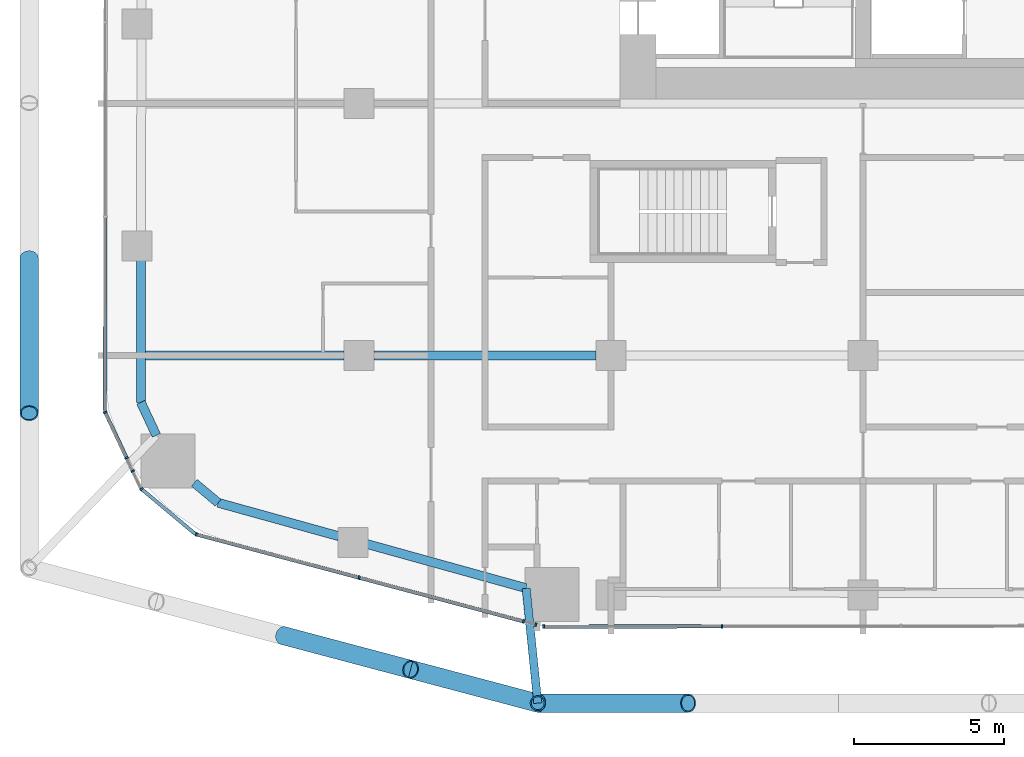
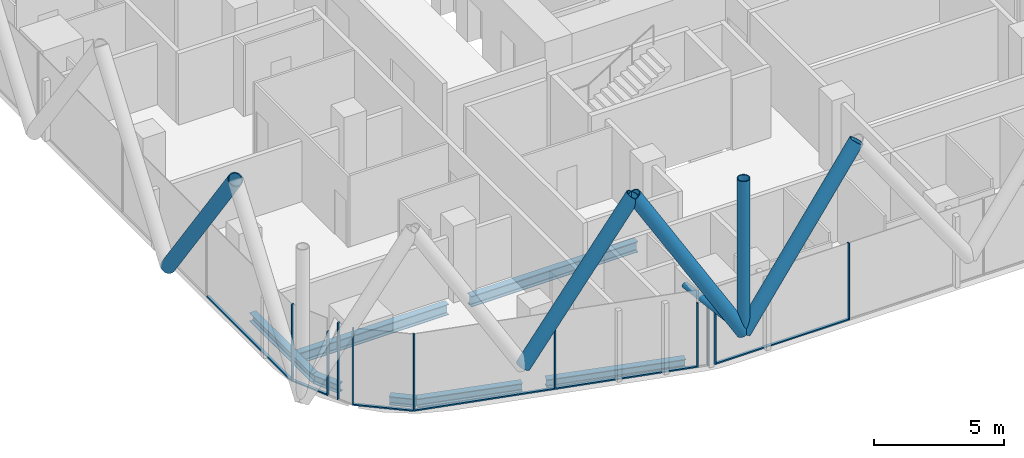
# One storey, part 2 of 34: 22 members, 7 beams, 8 elements without a shape of their own.
"""IFC4 building model written with IfcOpenShell, lengths in metres."""

from ifc_helpers import new_model, si_unit, direction, frame, origin, origin_2d, place, context, subcontext, project, spatial, rectangle, hollow_circle, i_section, extrude, material, layer, layer_set, material_profile, profile_set, type_object, element, aggregate, save


model = new_model("IFC4")

# Units and contexts
model_context = context("Model", 3, precision=1e-05, world=origin(), true_north=direction((0.0, 1.0)))
body_context = subcontext(model_context, "Body", "Model", "MODEL_VIEW")
ifc_project = project(units=[si_unit("LENGTHUNIT", "METRE"), si_unit("AREAUNIT", "SQUARE_METRE"), si_unit("VOLUMEUNIT", "CUBIC_METRE"), si_unit("PLANEANGLEUNIT", "RADIAN"), si_unit("MASSUNIT", "GRAM", prefix="KILO")], contexts=[model_context])

# Site, building, storey
site_placement = place(None, origin())
site = spatial("IfcSite", under=ifc_project, at=site_placement, CompositionType="ELEMENT")
building_placement = place(site_placement, origin())
building = spatial("IfcBuilding", under=site, at=building_placement, Name="Marenta Gate Hotel Tower", CompositionType="ELEMENT")
storey_placement = place(building_placement, frame((0.0, 0.0, 47.300048828125)))
storey = spatial("IfcBuildingStorey", under=building, at=storey_placement, Name="L09", CompositionType="ELEMENT", Elevation=47.300048828125)

# Members
ifc_material_1 = material(Name="Steel S355J2W", Category="steel")
ifc_material_profile_1 = material_profile(ifc_material_1, hollow_circle(Radius=0.25390625, WallThickness=0.0400390625, at=origin_2d()), Name="CHS 508x40")
ifc_profile_set_1 = profile_set([ifc_material_profile_1], Name="Steel S355J2W")
member_type_1 = type_object("IfcMemberType", Name="Diagrid corner post Z1 CHS 508x40", PredefinedType="POST", material=ifc_profile_set_1)
member_1_placement = place(storey_placement, frame((-15.0390625, -20.0, 3.139892578125), z_axis=(0.0, 0.0, 1.0), x_axis=(1.0, 0.0, 0.0)))
element("IfcMember", 1, at=member_1_placement, inside=storey, type_object=member_type_1, Name="L09-DR-4", PredefinedType="POST", context=body_context, shape_type="SweptSolid", body=[
    extrude(hollow_circle(Radius=0.25390625, WallThickness=0.0400390625, at=origin_2d()), origin(), (0.0, 0.0, 1.0), 7.199951171875),
])
ifc_material_2 = material(Name="Steel S355J2W", Category="steel")
ifc_material_profile_2 = material_profile(ifc_material_2, hollow_circle(Radius=0.304931640625, WallThickness=0.0400390625, at=origin_2d()), Name="CHS 610x40")
ifc_profile_set_2 = profile_set([ifc_material_profile_2], Name="Steel S355J2W")
member_type_2 = type_object("IfcMemberType", Name="Diagrid diagonal Z1 CHS 610x40", PredefinedType="BRACE", material=ifc_profile_set_2)
member_2_placement = place(storey_placement, frame((-15.0390625, -20.0, 3.139892578125), z_axis=(0.571411767966, 0.0, 0.820663506822), x_axis=(0.0, 1.0, 0.0)))
element("IfcMember", 2, at=member_2_placement, inside=storey, type_object=member_type_2, Name="L09-DG-20", PredefinedType="BRACE", context=body_context, shape_type="SweptSolid", body=[
    extrude(hollow_circle(Radius=0.304931640625, WallThickness=0.0400390625, at=origin_2d()), origin(), (0.0, 0.0, 1.0), 8.7734375),
])
for number, where, z_axis, x_axis, name in (
    (3, (-15.0390625, -20.0, 3.139892578125), (-0.502924018666, 0.133433548941, 0.853968921838), (-0.256443187528, -0.96655930577, 0.0), "L09-DG-21"),
    (4, (-23.51953125, -17.75, 3.139892578125), (0.502924018666, -0.133433548941, 0.853968921838), (0.256443187528, 0.96655930577, 0.0), "L09-DG-22"),
):
    element("IfcMember", number, at=place(storey_placement, frame(where, z_axis=z_axis, x_axis=x_axis)), inside=storey, type_object=member_type_2, Name=name, PredefinedType="BRACE", context=body_context, shape_type="SweptSolid", body=[
        extrude(hollow_circle(Radius=0.304931640625, WallThickness=0.0400390625, at=origin_2d()), origin(), (0.0, 0.0, 1.0), 8.43115234375),
    ])
member_3_placement = place(storey_placement, frame((-32.0, -5.16015625, 3.139892578125), z_axis=(0.0, -0.583260841117, 0.812284919975), x_axis=(1.0, 0.0, 0.0)))
element("IfcMember", 5, at=member_3_placement, inside=storey, type_object=member_type_2, Name="L09-DG-26", PredefinedType="BRACE", context=body_context, shape_type="SweptSolid", body=[
    extrude(hollow_circle(Radius=0.304931640625, WallThickness=0.0400390625, at=origin_2d()), origin(), (0.0, 0.0, 1.0), 8.86376953125),
])

# Beams
ifc_material_3 = material(Name="Steel S355", Category="steel")
ifc_material_profile_3 = material_profile(ifc_material_3, i_section(OverallWidth=0.300048828125, OverallDepth=0.39990234375, WebThickness=0.013427734375, FlangeThickness=0.02392578125, FilletRadius=0.027099609375, at=origin_2d()), Name="HEB 400")
ifc_profile_set_3 = profile_set([ifc_material_profile_3], Name="Steel S355")
beam_type_1 = type_object("IfcBeamType", Name="Edge beam HEB 400", PredefinedType="SPANDREL", material=ifc_profile_set_3)
beam_1_placement = place(storey_placement, frame((-15.427734375, -16.166748046875, -0.4599609375), z_axis=(-0.963623684238, 0.267262782998, 0.0), x_axis=(-0.267262782998, -0.963623684238, 0.0)))
element("IfcBeam", 6, at=beam_1_placement, inside=storey, type_object=beam_type_1, Name="L09-EB-1", PredefinedType="SPANDREL", context=body_context, shape_type="SweptSolid", body=[
    extrude(i_section(OverallWidth=0.300048828125, OverallDepth=0.39990234375, WebThickness=0.013427734375, FlangeThickness=0.02392578125, FilletRadius=0.027099609375, at=origin_2d()), origin(), (0.0, 0.0, 1.0), 5.518310546875),
])
beam_2_placement = place(storey_placement, frame((-21.668212890625, -14.43603515625, -0.4599609375), z_axis=(-0.963617403201, 0.267285428426, 0.0), x_axis=(-0.267285428426, -0.963617403201, 0.0)))
element("IfcBeam", 7, at=beam_2_placement, inside=storey, type_object=beam_type_1, Name="L09-EB-2", PredefinedType="SPANDREL", context=body_context, shape_type="SweptSolid", body=[
    extrude(i_section(OverallWidth=0.300048828125, OverallDepth=0.39990234375, WebThickness=0.013427734375, FlangeThickness=0.02392578125, FilletRadius=0.027099609375, at=origin_2d()), origin(), (0.0, 0.0, 1.0), 4.1806640625),
])
beam_3_placement = place(storey_placement, frame((-25.69677734375, -13.318603515625, -0.4599609375), z_axis=(-0.767179911534, 0.641431978731, 0.0), x_axis=(-0.641431978731, -0.767179911534, 0.0)))
element("IfcBeam", 8, at=beam_3_placement, inside=storey, type_object=beam_type_1, Name="L09-EB-3", PredefinedType="SPANDREL", context=body_context, shape_type="SweptSolid", body=[
    extrude(i_section(OverallWidth=0.300048828125, OverallDepth=0.39990234375, WebThickness=0.013427734375, FlangeThickness=0.02392578125, FilletRadius=0.027099609375, at=origin_2d()), origin(), (0.0, 0.0, 1.0), 1.038818359375),
])
beam_4_placement = place(storey_placement, frame((-27.76025390625, -11.0693359375, -0.4599609375), z_axis=(-0.423291965192, 0.905993329006, 0.0), x_axis=(-0.905993329006, -0.423291965192, 0.0)))
element("IfcBeam", 9, at=beam_4_placement, inside=storey, type_object=beam_type_1, Name="L09-EB-4", PredefinedType="SPANDREL", context=body_context, shape_type="SweptSolid", body=[
    extrude(i_section(OverallWidth=0.300048828125, OverallDepth=0.39990234375, WebThickness=0.013427734375, FlangeThickness=0.02392578125, FilletRadius=0.027099609375, at=origin_2d()), origin(), (0.0, 0.0, 1.0), 1.21630859375),
])
beam_5_placement = place(storey_placement, frame((-28.275146484375, -9.96728515625, -0.4599609375), z_axis=(0.001386177947, 0.999999039255, 0.0), x_axis=(-0.999999039255, 0.001386177947, 0.0)))
element("IfcBeam", 10, at=beam_5_placement, inside=storey, type_object=beam_type_1, Name="L09-EB-5", PredefinedType="SPANDREL", context=body_context, shape_type="SweptSolid", body=[
    extrude(i_section(OverallWidth=0.300048828125, OverallDepth=0.39990234375, WebThickness=0.013427734375, FlangeThickness=0.02392578125, FilletRadius=0.027099609375, at=origin_2d()), origin(), (0.0, 0.0, 1.0), 4.75537109375),
])

# Member
ifc_material_4 = material(Name="Steel S355J2W", Category="steel")
ifc_material_profile_4 = material_profile(ifc_material_4, hollow_circle(Radius=0.136474609375, WallThickness=0.012451171875, at=origin_2d()), Name="CHS 273x12.5")
ifc_profile_set_4 = profile_set([ifc_material_profile_4], Name="Steel S355J2W")
member_type_3 = type_object("IfcMemberType", Name="Floor tie CHS 273x12.5", PredefinedType="STRUT", material=ifc_profile_set_4)
member_4_placement = place(storey_placement, frame((-15.0390625, -20.0, 3.139892578125), z_axis=(-0.100880214529, 0.99489857891, 0.0), x_axis=(-0.99489857891, -0.100880214529, 0.0)))
element("IfcMember", 11, at=member_4_placement, inside=storey, type_object=member_type_3, Name="L09-DR-10", PredefinedType="STRUT", context=body_context, shape_type="SweptSolid", body=[
    extrude(hollow_circle(Radius=0.136474609375, WallThickness=0.012451171875, at=origin_2d()), origin(), (0.0, 0.0, 1.0), 3.845458984375),
])

# Beams
ifc_material_5 = material(Name="Steel S355", Category="steel")
ifc_material_profile_5 = material_profile(ifc_material_5, i_section(OverallWidth=0.300048828125, OverallDepth=0.5, WebThickness=0.014404296875, FlangeThickness=0.028076171875, FilletRadius=0.027099609375, at=origin_2d()), Name="HEB 500")
ifc_profile_set_5 = profile_set([ifc_material_profile_5], Name="Steel S355")
beam_type_2 = type_object("IfcBeamType", Name="Girder HEB 500", PredefinedType="BEAM", material=ifc_profile_set_5)
beam_6_placement = place(storey_placement, frame((-28.123046875, -8.39990234375, -0.510009765625), z_axis=(1.0, 0.0, 0.0), x_axis=(0.0, 1.0, 0.0)))
element("IfcBeam", 12, at=beam_6_placement, inside=storey, type_object=beam_type_2, Name="L09-GD-1", PredefinedType="BEAM", context=body_context, shape_type="SweptSolid", body=[
    extrude(i_section(OverallWidth=0.300048828125, OverallDepth=0.5, WebThickness=0.014404296875, FlangeThickness=0.028076171875, FilletRadius=0.027099609375, at=origin_2d()), origin(), (0.0, 0.0, 1.0), 6.623046875),
])
beam_7_placement = place(storey_placement, frame((-20.5, -8.39990234375, -0.510009765625), z_axis=(1.0, 0.0, 0.0), x_axis=(0.0, 1.0, 0.0)))
element("IfcBeam", 13, at=beam_7_placement, inside=storey, type_object=beam_type_2, Name="L09-GD-2", PredefinedType="BEAM", context=body_context, shape_type="SweptSolid", body=[
    extrude(i_section(OverallWidth=0.300048828125, OverallDepth=0.5, WebThickness=0.014404296875, FlangeThickness=0.028076171875, FilletRadius=0.027099609375, at=origin_2d()), origin(), (0.0, 0.0, 1.0), 7.39990234375),
])

# Curtain wall, member
ifc_material_6 = material(Name="Tinted insulated glass in bronze anodised frame", Category="glass")
ifc_layer = layer(ifc_material_6, 0.1201171875)
ifc_layer_set = layer_set([ifc_layer], Name="Tinted insulated glass in bronze anodised frame")
curtain_wall_type = type_object("IfcCurtainWallType", Name="Tower unitised curtain wall CW1", PredefinedType="NOTDEFINED", material=ifc_layer_set)
curtain_wall_1_placement = place(storey_placement, origin())
curtain_wall_1 = element("IfcCurtainWall", 14, at=curtain_wall_1_placement, inside=storey, type_object=curtain_wall_type, Name="CW1 run G05", PredefinedType="NOTDEFINED")
ifc_material_7 = material(Name="Bronze anodised aluminium", Category="aluminium")
ifc_material_profile_6 = material_profile(ifc_material_7, rectangle(XDim=0.1201171875, YDim=0.06005859375, at=origin_2d()), Name="Mullion CW1 60x120 bronze anodised aluminium")
ifc_profile_set_6 = profile_set([ifc_material_profile_6], Name="Bronze anodised aluminium")
member_type_4 = type_object("IfcMemberType", Name="Mullion CW1 60x120 bronze anodised aluminium", PredefinedType="MULLION", material=ifc_profile_set_6)
member_5_placement = place(storey_placement, frame((-29.460693359375, -10.30322265625, 0.0), z_axis=(0.0, 0.0, 1.0), x_axis=(0.905970782283, 0.42334021974, 0.0)))
member_5 = element("IfcMember", 15, at=member_5_placement, type_object=member_type_4, Name="CW1 mullion 1", PredefinedType="MULLION", context=body_context, shape_type="SweptSolid", body=[
    extrude(rectangle(XDim=0.1201171875, YDim=0.06005859375, at=origin_2d()), origin(), (0.0, 0.0, 1.0), 3.599853515625),
])

curtain_wall_2_placement = place(storey_placement, origin())
curtain_wall_2 = element("IfcCurtainWall", 16, at=curtain_wall_2_placement, inside=storey, type_object=curtain_wall_type, Name="CW1 run G06", PredefinedType="NOTDEFINED")
member_6_placement = place(storey_placement, frame((-28.752197265625, -11.819091796875, 0.0), z_axis=(0.0, 0.0, 1.0), x_axis=(0.906004324729, 0.423268429691, 0.0)))
member_6 = element("IfcMember", 17, at=member_6_placement, type_object=member_type_4, Name="CW1 mullion 1", PredefinedType="MULLION", context=body_context, shape_type="SweptSolid", body=[
    extrude(rectangle(XDim=0.1201171875, YDim=0.06005859375, at=origin_2d()), origin(), (0.0, 0.0, 1.0), 3.00048828125),
])
aggregate(curtain_wall_2, [member_6])

curtain_wall_3_placement = place(storey_placement, origin())
curtain_wall_3 = element("IfcCurtainWall", 18, at=curtain_wall_3_placement, inside=storey, type_object=curtain_wall_type, Name="CW1 run G07", PredefinedType="NOTDEFINED")
member_7_placement = place(storey_placement, frame((-28.546630859375, -12.25927734375, 0.0), z_axis=(0.0, 0.0, 1.0), x_axis=(0.905943804319, 0.423397949235, 0.0)))
member_7 = element("IfcMember", 19, at=member_7_placement, type_object=member_type_4, Name="CW1 mullion 1", PredefinedType="MULLION", context=body_context, shape_type="SweptSolid", body=[
    extrude(rectangle(XDim=0.1201171875, YDim=0.06005859375, at=origin_2d()), origin(), (0.0, 0.0, 1.0), 3.599853515625),
])
aggregate(curtain_wall_3, [member_7])

curtain_wall_4_placement = place(storey_placement, origin())
curtain_wall_4 = element("IfcCurtainWall", 20, at=curtain_wall_4_placement, inside=storey, type_object=curtain_wall_type, Name="CW1 run G08", PredefinedType="NOTDEFINED")
member_8_placement = place(storey_placement, frame((-28.25146484375, -12.86083984375, 0.0), z_axis=(0.0, 0.0, 1.0), x_axis=(0.641511984407, 0.767113012445, 0.0)))
member_8 = element("IfcMember", 21, at=member_8_placement, type_object=member_type_4, Name="CW1 mullion 1", PredefinedType="MULLION", context=body_context, shape_type="SweptSolid", body=[
    extrude(rectangle(XDim=0.1201171875, YDim=0.06005859375, at=origin_2d()), origin(), (0.0, 0.0, 1.0), 3.599853515625),
])

# Curtain wall, members
curtain_wall_5_placement = place(storey_placement, origin())
curtain_wall_5 = element("IfcCurtainWall", 22, at=curtain_wall_5_placement, inside=storey, type_object=curtain_wall_type, Name="CW1 run G09", PredefinedType="NOTDEFINED")
member_9_placement = place(storey_placement, frame((-26.42236328125, -14.3740234375, 0.0), z_axis=(0.0, 0.0, 1.0), x_axis=(0.257142063632, 0.96637361259, 0.0)))
member_9 = element("IfcMember", 23, at=member_9_placement, type_object=member_type_4, Name="CW1 mullion 1", PredefinedType="MULLION", context=body_context, shape_type="SweptSolid", body=[
    extrude(rectangle(XDim=0.1201171875, YDim=0.06005859375, at=origin_2d()), origin(), (0.0, 0.0, 1.0), 3.599853515625),
])
member_10_placement = place(storey_placement, frame((-20.99755859375, -15.8173828125, 0.0), z_axis=(0.0, 0.0, 1.0), x_axis=(0.257142063632, 0.96637361259, 0.0)))
member_10 = element("IfcMember", 24, at=member_10_placement, type_object=member_type_4, Name="CW1 mullion 2", PredefinedType="MULLION", context=body_context, shape_type="SweptSolid", body=[
    extrude(rectangle(XDim=0.1201171875, YDim=0.06005859375, at=origin_2d()), origin(), (0.0, 0.0, 1.0), 3.599853515625),
])

curtain_wall_6_placement = place(storey_placement, origin())
curtain_wall_6 = element("IfcCurtainWall", 25, at=curtain_wall_6_placement, inside=storey, type_object=curtain_wall_type, Name="CW1 run G10", PredefinedType="NOTDEFINED")
member_11_placement = place(storey_placement, frame((-15.5146484375, -17.2763671875, 0.0), z_axis=(0.0, 0.0, 1.0), x_axis=(0.257084251591, 0.966388993927, 0.0)))
member_11 = element("IfcMember", 26, at=member_11_placement, type_object=member_type_4, Name="CW1 mullion 1", PredefinedType="MULLION", context=body_context, shape_type="SweptSolid", body=[
    extrude(rectangle(XDim=0.1201171875, YDim=0.06005859375, at=origin_2d()), origin(), (0.0, 0.0, 1.0), 3.00048828125),
])
member_12_placement = place(storey_placement, frame((-15.104736328125, -17.385498046875, 0.0), z_axis=(0.0, 0.0, 1.0), x_axis=(0.257084251591, 0.966388993927, 0.0)))
member_12 = element("IfcMember", 27, at=member_12_placement, type_object=member_type_4, Name="CW1 mullion 2", PredefinedType="MULLION", context=body_context, shape_type="SweptSolid", body=[
    extrude(rectangle(XDim=0.1201171875, YDim=0.06005859375, at=origin_2d()), origin(), (0.0, 0.0, 1.0), 3.00048828125),
])
aggregate(curtain_wall_6, [member_11, member_12])

curtain_wall_7_placement = place(storey_placement, origin())
curtain_wall_7 = element("IfcCurtainWall", 28, at=curtain_wall_7_placement, inside=storey, type_object=curtain_wall_type, Name="CW1 run G11", PredefinedType="NOTDEFINED")
member_13_placement = place(storey_placement, frame((-14.840576171875, -17.44775390625, 0.0), z_axis=(0.0, 0.0, 1.0), x_axis=(-0.001161921639, 0.999999324969, 0.0)))
member_13 = element("IfcMember", 29, at=member_13_placement, type_object=member_type_4, Name="CW1 mullion 1", PredefinedType="MULLION", context=body_context, shape_type="SweptSolid", body=[
    extrude(rectangle(XDim=0.1201171875, YDim=0.06005859375, at=origin_2d()), origin(), (0.0, 0.0, 1.0), 3.599853515625),
])
member_14_placement = place(storey_placement, frame((-8.897705078125, -17.44091796875, 0.0), z_axis=(0.0, 0.0, 1.0), x_axis=(-0.001161921639, 0.999999324969, 0.0)))
member_14 = element("IfcMember", 30, at=member_14_placement, type_object=member_type_4, Name="CW1 mullion 2", PredefinedType="MULLION", context=body_context, shape_type="SweptSolid", body=[
    extrude(rectangle(XDim=0.1201171875, YDim=0.06005859375, at=origin_2d()), origin(), (0.0, 0.0, 1.0), 3.599853515625),
])

# Curtain wall, member
curtain_wall_8_placement = place(storey_placement, origin())
curtain_wall_8 = element("IfcCurtainWall", 31, at=curtain_wall_8_placement, inside=storey, type_object=curtain_wall_type, Name="CW1 run G04", PredefinedType="NOTDEFINED")
ifc_material_8 = material(Name="Bronze anodised aluminium", Category="aluminium")
ifc_material_profile_7 = material_profile(ifc_material_8, rectangle(XDim=0.1201171875, YDim=0.06005859375, at=origin_2d()), Name="Transom CW1 60x120 bronze anodised aluminium")
ifc_profile_set_7 = profile_set([ifc_material_profile_7], Name="Bronze anodised aluminium")
member_type_5 = type_object("IfcMemberType", Name="Transom CW1 60x120 bronze anodised aluminium", PredefinedType="USERDEFINED", material=ifc_profile_set_7)
member_15_placement = place(storey_placement, frame((-29.463134765625, -3.815673828125, 0.030029296875), z_axis=(-0.001587239601, -0.999998740334, 0.0), x_axis=(0.999998740334, -0.001587239601, 0.0)))
member_15 = element("IfcMember", 32, at=member_15_placement, type_object=member_type_5, Name="CW1 transom 6.1", ObjectType="TRANSOM", PredefinedType="USERDEFINED", context=body_context, shape_type="SweptSolid", body=[
    extrude(rectangle(XDim=0.1201171875, YDim=0.06005859375, at=origin_2d()), origin(), (0.0, 0.0, 1.0), 6.460205078125),
])
aggregate(curtain_wall_8, [member_15])

# Member
member_16_placement = place(storey_placement, frame((-29.447998046875, -10.330322265625, 0.030029296875), z_axis=(0.423448765348, -0.905920053385, 0.0), x_axis=(0.905920053385, 0.423448765348, 0.0)))
member_16 = element("IfcMember", 33, at=member_16_placement, type_object=member_type_5, Name="CW1 transom 1.1", ObjectType="TRANSOM", PredefinedType="USERDEFINED", context=body_context, shape_type="SweptSolid", body=[
    extrude(rectangle(XDim=0.1201171875, YDim=0.06005859375, at=origin_2d()), origin(), (0.0, 0.0, 1.0), 1.61328125),
])

aggregate(curtain_wall_1, [member_5, member_16])

member_17_placement = place(storey_placement, frame((-28.228271484375, -12.880126953125, 0.030029296875), z_axis=(0.767079699321, -0.641551817775, 0.0), x_axis=(0.641551817775, 0.767079699321, 0.0)))
member_17 = element("IfcMember", 34, at=member_17_placement, type_object=member_type_5, Name="CW1 transom 1.1", ObjectType="TRANSOM", PredefinedType="USERDEFINED", context=body_context, shape_type="SweptSolid", body=[
    extrude(rectangle(XDim=0.1201171875, YDim=0.06005859375, at=origin_2d()), origin(), (0.0, 0.0, 1.0), 2.31640625),
])

aggregate(curtain_wall_4, [member_8, member_17])

member_18_placement = place(storey_placement, frame((-26.393310546875, -14.3818359375, 0.030029296875), z_axis=(0.966375620047, -0.257134519227, 0.0), x_axis=(0.257134519227, 0.966375620047, 0.0)))
member_18 = element("IfcMember", 35, at=member_18_placement, type_object=member_type_5, Name="CW1 transom 1.1", ObjectType="TRANSOM", PredefinedType="USERDEFINED", context=body_context, shape_type="SweptSolid", body=[
    extrude(rectangle(XDim=0.1201171875, YDim=0.06005859375, at=origin_2d()), origin(), (0.0, 0.0, 1.0), 5.553466796875),
])

member_19_placement = place(storey_placement, frame((-20.968505859375, -15.8251953125, 0.030029296875), z_axis=(0.96636835043, -0.257161838708, 0.0), x_axis=(0.257161838708, 0.96636835043, 0.0)))
member_19 = element("IfcMember", 36, at=member_19_placement, type_object=member_type_5, Name="CW1 transom 2.1", ObjectType="TRANSOM", PredefinedType="USERDEFINED", context=body_context, shape_type="SweptSolid", body=[
    extrude(rectangle(XDim=0.1201171875, YDim=0.06005859375, at=origin_2d()), origin(), (0.0, 0.0, 1.0), 5.613525390625),
])

aggregate(curtain_wall_5, [member_9, member_10, member_18, member_19])

member_20_placement = place(storey_placement, frame((-14.810546875, -17.44775390625, 0.030029296875), z_axis=(0.999999324857, 0.001162017808, 0.0), x_axis=(-0.001162017808, 0.999999324857, 0.0)))
member_20 = element("IfcMember", 37, at=member_20_placement, type_object=member_type_5, Name="CW1 transom 1.1", ObjectType="TRANSOM", PredefinedType="USERDEFINED", context=body_context, shape_type="SweptSolid", body=[
    extrude(rectangle(XDim=0.1201171875, YDim=0.06005859375, at=origin_2d()), origin(), (0.0, 0.0, 1.0), 5.8828125),
])

aggregate(curtain_wall_7, [member_13, member_14, member_20])

save(model, "model.ifc")
